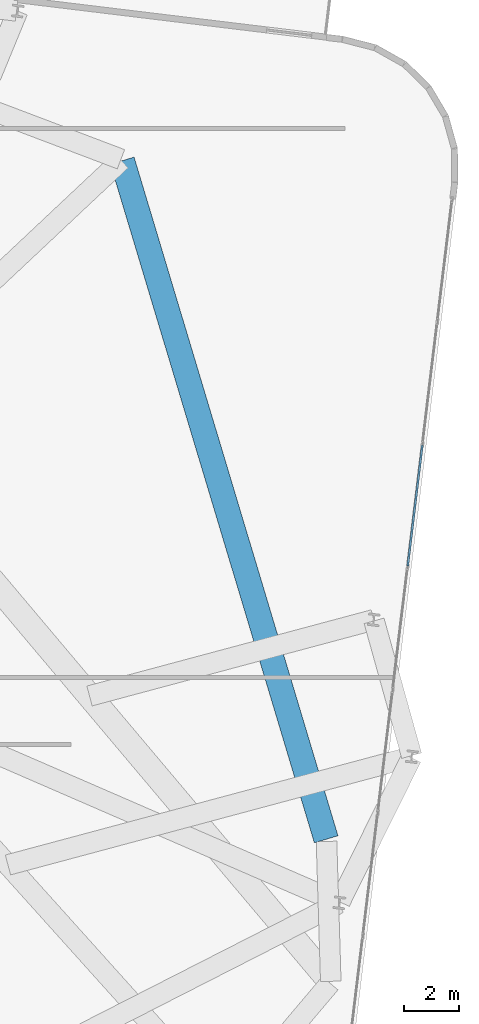
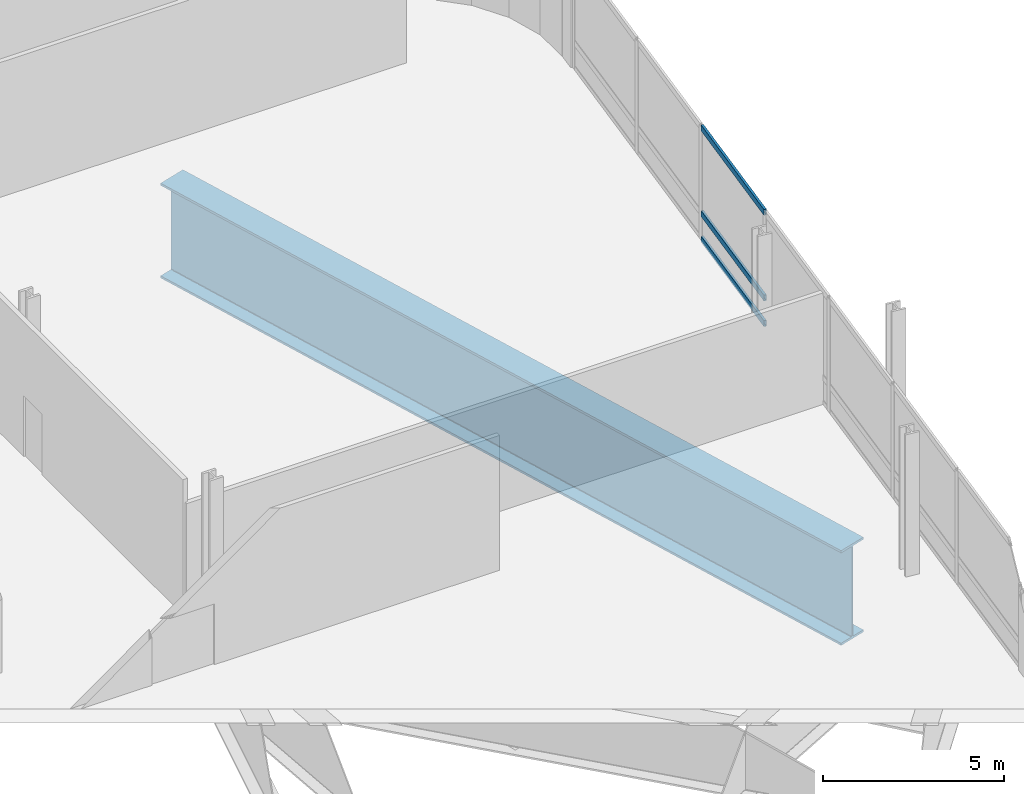
# One storey, part 13 of 22: 3 members, 1 beam, 1 element without a shape of its own.
"""IFC4 building model written with IfcOpenShell, lengths in metres."""

from ifc_helpers import new_model, si_unit, direction, frame, origin, origin_2d, place, context, subcontext, project, spatial, hollow_rectangle, i_section, extrude, material, layer, layer_set, material_profile, profile_set, type_object, element, aggregate, save


model = new_model("IFC4")

# Units and contexts
model_context = context("Model", 3, precision=1e-05, world=origin(), true_north=direction((0.0, 1.0)))
body_context = subcontext(model_context, "Body", "Model", "MODEL_VIEW")
ifc_project = project(units=[si_unit("LENGTHUNIT", "METRE"), si_unit("AREAUNIT", "SQUARE_METRE"), si_unit("VOLUMEUNIT", "CUBIC_METRE"), si_unit("PLANEANGLEUNIT", "RADIAN"), si_unit("MASSUNIT", "GRAM", prefix="KILO")], contexts=[model_context])

# Site, building, storey
site_placement = place(None, origin())
site = spatial("IfcSite", under=ifc_project, at=site_placement, CompositionType="ELEMENT")
building_placement = place(site_placement, origin())
building = spatial("IfcBuilding", under=site, at=building_placement, Name="Varnelok Gate Tower", CompositionType="ELEMENT")
storey_placement = place(building_placement, frame((0.0, 0.0, 116.89990234375)))
storey = spatial("IfcBuildingStorey", under=building, at=storey_placement, Name="L29", CompositionType="ELEMENT", Elevation=116.89990234375)

# Beam
ifc_material_1 = material(Name="Structural Steel ASTM A572 Grade 50", Category="steel")
ifc_material_profile_1 = material_profile(ifc_material_1, i_section(OverallWidth=0.89990234375, OverallDepth=3.199951171875, WebThickness=0.0400390625, FlangeThickness=0.074951171875, FilletRadius=0.030029296875, at=origin_2d()), Name="PG3200X900")
ifc_profile_set_1 = profile_set([ifc_material_profile_1], Name="Structural Steel ASTM A572 Grade 50")
beam_type = type_object("IfcBeamType", Name="BM-TR-PG3200", PredefinedType="BEAM", material=ifc_profile_set_1)
beam_placement = place(storey_placement, frame((71.3076171875, 13.392333984375, -1.919921875), z_axis=(-0.287740428783, 0.957708434569, 0.0), x_axis=(-0.957708434569, -0.287740428783, 0.0)))
element("IfcBeam", 1, at=beam_placement, inside=storey, type_object=beam_type, Name="L29 Transfer Support Ring Girder 8", PredefinedType="BEAM", context=body_context, shape_type="SweptSolid", body=[
    extrude(i_section(OverallWidth=0.89990234375, OverallDepth=3.199951171875, WebThickness=0.0400390625, FlangeThickness=0.074951171875, FilletRadius=0.030029296875, at=origin_2d()), origin(), (0.0, 0.0, 1.0), 25.84619140625),
])

# Curtain wall, members
ifc_material_2 = material(Name="Anodized Aluminum Alloy 6063-T6", Category="aluminium")
ifc_layer = layer(ifc_material_2, 0.179931640625)
ifc_layer_set = layer_set([ifc_layer], Name="Anodized Aluminum Alloy 6063-T6")
curtain_wall_type = type_object("IfcCurtainWallType", Name="CW2-ATRIUM-GLAZING", PredefinedType="USERDEFINED", material=ifc_layer_set)
curtain_wall_placement = place(storey_placement, origin())
curtain_wall = element("IfcCurtainWall", 2, at=curtain_wall_placement, inside=storey, type_object=curtain_wall_type, Name="L29 East End Vision Curtain Wall", ObjectType="UNITISED CURTAIN WALL", PredefinedType="USERDEFINED")
ifc_material_profile_2 = material_profile(ifc_material_2, hollow_rectangle(XDim=0.074951171875, YDim=0.199951171875, WallThickness=0.00390625, at=origin_2d()), Name="ALU200X75X4")
ifc_profile_set_2 = profile_set([ifc_material_profile_2], Name="Anodized Aluminum Alloy 6063-T6")
member_type = type_object("IfcMemberType", Name="CW-TRAN-200", PredefinedType="USERDEFINED", material=ifc_profile_set_2)
member_1_placement = place(storey_placement, frame((74.8154296875, 27.765625, 0.03759765625), z_axis=(-0.120331367519, -0.992733782034, 0.0), x_axis=(0.992733782034, -0.120331367519, 0.0)))
member_1 = element("IfcMember", 3, at=member_1_placement, type_object=member_type, Name="CW2 transom 3.1", ObjectType="TRANSOM", PredefinedType="USERDEFINED", context=body_context, shape_type="SweptSolid", body=[
    extrude(hollow_rectangle(XDim=0.074951171875, YDim=0.199951171875, WallThickness=0.00390625, at=origin_2d()), origin(), (0.0, 0.0, 1.0), 4.439208984375),
])
member_2_placement = place(storey_placement, frame((74.8154296875, 27.765625, 0.900146484375), z_axis=(-0.120331367519, -0.992733782034, 0.0), x_axis=(0.992733782034, -0.120331367519, 0.0)))
member_2 = element("IfcMember", 4, at=member_2_placement, type_object=member_type, Name="CW2 transom 3.2", ObjectType="TRANSOM", PredefinedType="USERDEFINED", context=body_context, shape_type="SweptSolid", body=[
    extrude(hollow_rectangle(XDim=0.074951171875, YDim=0.199951171875, WallThickness=0.00390625, at=origin_2d()), origin(), (0.0, 0.0, 1.0), 4.439208984375),
])
member_3_placement = place(storey_placement, frame((74.8154296875, 27.765625, 3.79248046875), z_axis=(-0.120331367519, -0.992733782034, 0.0), x_axis=(0.992733782034, -0.120331367519, 0.0)))
member_3 = element("IfcMember", 5, at=member_3_placement, type_object=member_type, Name="CW2 transom 3.3", ObjectType="TRANSOM", PredefinedType="USERDEFINED", context=body_context, shape_type="SweptSolid", body=[
    extrude(hollow_rectangle(XDim=0.074951171875, YDim=0.199951171875, WallThickness=0.00390625, at=origin_2d()), origin(), (0.0, 0.0, 1.0), 4.439208984375),
])
aggregate(curtain_wall, [member_1, member_2, member_3])

save(model, "model.ifc")
